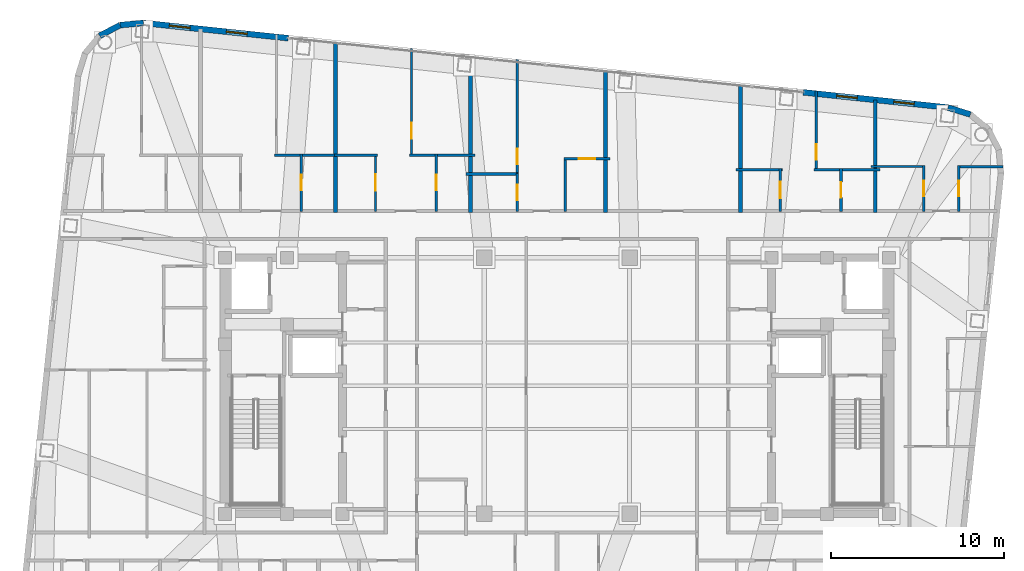
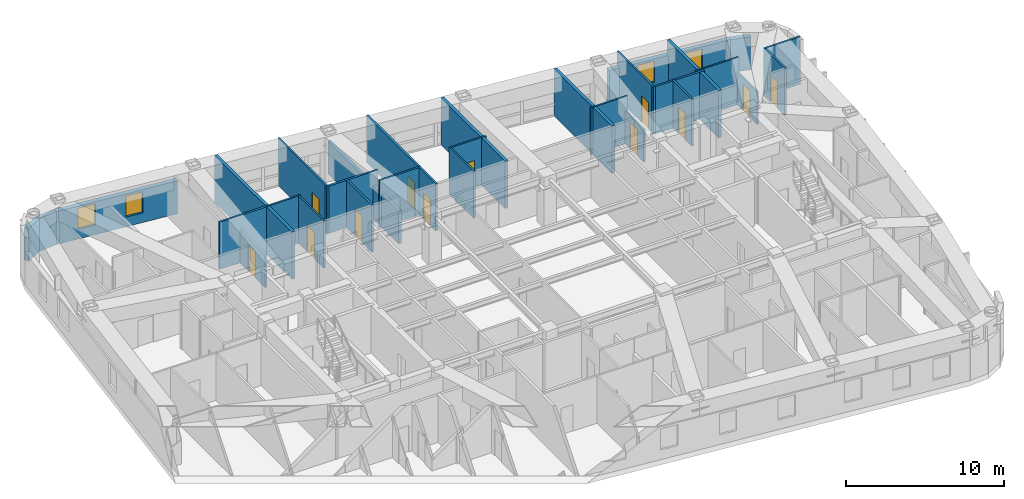
# One storey, part 13 of 16: 31 walls, 12 doors, 4 windows, 16 openings.
"""IFC4 building model written with IfcOpenShell, lengths in metres."""

from ifc_helpers import new_model, si_unit, direction, frame, frame_2d, origin, place, context, subcontext, project, spatial, rectangle, extrude, material, layer, layer_set, type_object, element, fill, save


model = new_model("IFC4")

# Units and contexts
model_context = context("Model", 3, precision=1e-05, world=origin(), true_north=direction((0.0, 1.0)))
body_context = subcontext(model_context, "Body", "Model", "MODEL_VIEW")
ifc_project = project(units=[si_unit("LENGTHUNIT", "METRE"), si_unit("AREAUNIT", "SQUARE_METRE"), si_unit("VOLUMEUNIT", "CUBIC_METRE"), si_unit("PLANEANGLEUNIT", "RADIAN"), si_unit("MASSUNIT", "GRAM", prefix="KILO")], contexts=[model_context])

# Site, building, storey
site_placement = place(None, origin())
site = spatial("IfcSite", under=ifc_project, at=site_placement, CompositionType="ELEMENT")
building_placement = place(site_placement, origin())
building = spatial("IfcBuilding", under=site, at=building_placement, Name="Voryun Gate Residences", CompositionType="ELEMENT")
storey_placement = place(building_placement, frame((0.0, 0.0, 260.0)))
storey = spatial("IfcBuildingStorey", under=building, at=storey_placement, Name="L64", CompositionType="ELEMENT", Elevation=260.0)

# Walls
ifc_material_1 = material(Name="Charcoal terracotta masonry", Category="masonry")
ifc_layer_1 = layer(ifc_material_1, 0.340087890625, Name="W_EXT_TERRACOTTA_340")
ifc_layer_set_1 = layer_set([ifc_layer_1], Name="Charcoal terracotta masonry")
wall_type_1 = type_object("IfcWallType", Name="W_EXT_TERRACOTTA_340", PredefinedType="ELEMENTEDWALL", material=ifc_layer_set_1)
wall_1_placement = place(storey_placement, frame((-26.439453125, 20.2255859375, 0.0), z_axis=(0.0, 0.0, 1.0), x_axis=(0.884922182678, 0.465738908193, 0.0)))
element("IfcWall", 1, at=wall_1_placement, inside=storey, type_object=wall_type_1, Name="Exterior wall WEXT-L64-09", PredefinedType="ELEMENTEDWALL", context=body_context, shape_type="SweptSolid", body=[
    extrude(rectangle(XDim=1.337158203125, YDim=0.340087890625, at=frame_2d((0.66845703125, 0.0))), origin(), (0.0, 0.0, 1.0), 2.5400390625),
])
wall_2_placement = place(storey_placement, frame((-25.256103515625, 20.848388671875, 0.0), z_axis=(0.0, 0.0, 1.0), x_axis=(0.995813013343, 0.091413579172, 0.0)))
element("IfcWall", 2, at=wall_2_placement, inside=storey, type_object=wall_type_1, Name="Exterior wall WEXT-L64-10", PredefinedType="ELEMENTEDWALL", context=body_context, shape_type="SweptSolid", body=[
    extrude(rectangle(XDim=1.35400390625, YDim=0.340087890625, at=frame_2d((0.677001953125, 0.0))), origin(), (0.0, 0.0, 1.0), 2.5400390625),
])

# Wall, openings, windows
wall_3_placement = place(storey_placement, frame((-23.90771484375, 20.97216796875, 0.0), z_axis=(0.0, 0.0, 1.0), x_axis=(0.994522285292, -0.104524753323, 0.0)))
wall_3 = element("IfcWall", 3, at=wall_3_placement, inside=storey, type_object=wall_type_1, Name="Exterior wall WEXT-L64-11A", PredefinedType="ELEMENTEDWALL", context=body_context, shape_type="SweptSolid", body=[
    extrude(rectangle(XDim=8.41796875, YDim=0.340087890625, at=frame_2d((4.208984375, 0.0))), origin(), (0.0, 0.0, 1.0), 2.5400390625),
])
opening_1_placement = place(wall_3_placement, frame((1.510498046875, 0.0, 0.75)))
opening_1 = element("IfcOpeningElement", 4, at=opening_1_placement, cuts=wall_3, Name="Opening WN6", PredefinedType="OPENING", context=body_context, shape_type="SweptSolid", body=[
    extrude(rectangle(XDim=1.199951171875, YDim=1.6298828125, at=frame_2d((0.60009765625, 0.81494140625))), frame((0.0, 0.179931640625, 0.0), z_axis=(0.0, -1.0, 0.0), x_axis=(1.0, 0.0, 0.0)), (0.0, 0.0, 1.0), 0.360107421875),
])
opening_2_placement = place(wall_3_placement, frame((4.826904296875, 0.0, 0.75)))
opening_2 = element("IfcOpeningElement", 5, at=opening_2_placement, cuts=wall_3, Name="Opening WN6", PredefinedType="OPENING", context=body_context, shape_type="SweptSolid", body=[
    extrude(rectangle(XDim=1.199951171875, YDim=1.6298828125, at=frame_2d((0.60009765625, 0.81494140625))), frame((0.0, 0.179931640625, 0.0), z_axis=(0.0, -1.0, 0.0), x_axis=(1.0, 0.0, 0.0)), (0.0, 0.0, 1.0), 0.360107421875),
])
ifc_material_2 = material(Name="Laminated low-E glass", Category="glass")
window_type = type_object("IfcWindowType", Name="WN_POD_SLOT_1200", PartitioningType="SINGLE_PANEL", PredefinedType="WINDOW", material=ifc_material_2)
window_1_placement = place(opening_1_placement, origin())
window_1 = element("IfcWindow", 6, at=window_1_placement, inside=storey, type_object=window_type, Name="Window WN-L64-DWFIX-02", OverallHeight=1.6298828125, OverallWidth=1.199951171875, PartitioningType="SINGLE_PANEL", PredefinedType="WINDOW", context=body_context, shape_type="SweptSolid", body=[
    extrude(rectangle(XDim=1.199951171875, YDim=1.6298828125, at=frame_2d((0.60009765625, 0.81494140625))), frame((0.0, 0.030029296875, 0.0), z_axis=(0.0, -1.0, 0.0), x_axis=(1.0, 0.0, 0.0)), (0.0, 0.0, 1.0), 0.06005859375),
])
fill(opening_1, window_1)
window_2_placement = place(opening_2_placement, origin())
window_2 = element("IfcWindow", 7, at=window_2_placement, inside=storey, type_object=window_type, Name="Window WN-L64-DWFIX-03", OverallHeight=1.6298828125, OverallWidth=1.199951171875, PartitioningType="SINGLE_PANEL", PredefinedType="WINDOW", context=body_context, shape_type="SweptSolid", body=[
    extrude(rectangle(XDim=1.199951171875, YDim=1.6298828125, at=frame_2d((0.60009765625, 0.81494140625))), frame((0.0, 0.030029296875, 0.0), z_axis=(0.0, -1.0, 0.0), x_axis=(1.0, 0.0, 0.0)), (0.0, 0.0, 1.0), 0.06005859375),
])
fill(opening_2, window_2)

wall_4_placement = place(storey_placement, frame((14.230712890625, 16.963623046875, 0.0), z_axis=(0.0, 0.0, 1.0), x_axis=(0.994522285292, -0.104524753323, 0.0)))
wall_4 = element("IfcWall", 8, at=wall_4_placement, inside=storey, type_object=wall_type_1, Name="Exterior wall WEXT-L64-11B", PredefinedType="ELEMENTEDWALL", context=body_context, shape_type="SweptSolid", body=[
    extrude(rectangle(XDim=8.41796875, YDim=0.340087890625, at=frame_2d((4.208984375, 0.0))), origin(), (0.0, 0.0, 1.0), 2.5400390625),
])
opening_3_placement = place(wall_4_placement, frame((1.943603515625, 0.0, 0.75)))
opening_3 = element("IfcOpeningElement", 9, at=opening_3_placement, cuts=wall_4, Name="Opening WN6", PredefinedType="OPENING", context=body_context, shape_type="SweptSolid", body=[
    extrude(rectangle(XDim=1.199951171875, YDim=1.6298828125, at=frame_2d((0.60009765625, 0.81494140625))), frame((0.0, 0.179931640625, 0.0), z_axis=(0.0, -1.0, 0.0), x_axis=(1.0, 0.0, 0.0)), (0.0, 0.0, 1.0), 0.360107421875),
])
opening_4_placement = place(wall_4_placement, frame((5.260009765625, 0.0, 0.75)))
opening_4 = element("IfcOpeningElement", 10, at=opening_4_placement, cuts=wall_4, Name="Opening WN6", PredefinedType="OPENING", context=body_context, shape_type="SweptSolid", body=[
    extrude(rectangle(XDim=1.199951171875, YDim=1.6298828125, at=frame_2d((0.60009765625, 0.81494140625))), frame((0.0, 0.179931640625, 0.0), z_axis=(0.0, -1.0, 0.0), x_axis=(1.0, 0.0, 0.0)), (0.0, 0.0, 1.0), 0.360107421875),
])
window_3_placement = place(opening_3_placement, origin())
window_3 = element("IfcWindow", 11, at=window_3_placement, inside=storey, type_object=window_type, Name="Window WN-L64-DWFIX-04", OverallHeight=1.6298828125, OverallWidth=1.199951171875, PartitioningType="SINGLE_PANEL", PredefinedType="WINDOW", context=body_context, shape_type="SweptSolid", body=[
    extrude(rectangle(XDim=1.199951171875, YDim=1.6298828125, at=frame_2d((0.60009765625, 0.81494140625))), frame((0.0, 0.030029296875, 0.0), z_axis=(0.0, -1.0, 0.0), x_axis=(1.0, 0.0, 0.0)), (0.0, 0.0, 1.0), 0.06005859375),
])
fill(opening_3, window_3)
window_4_placement = place(opening_4_placement, origin())
window_4 = element("IfcWindow", 12, at=window_4_placement, inside=storey, type_object=window_type, Name="Window WN-L64-DWFIX-05", OverallHeight=1.6298828125, OverallWidth=1.199951171875, PartitioningType="SINGLE_PANEL", PredefinedType="WINDOW", context=body_context, shape_type="SweptSolid", body=[
    extrude(rectangle(XDim=1.199951171875, YDim=1.6298828125, at=frame_2d((0.60009765625, 0.81494140625))), frame((0.0, 0.030029296875, 0.0), z_axis=(0.0, -1.0, 0.0), x_axis=(1.0, 0.0, 0.0)), (0.0, 0.0, 1.0), 0.06005859375),
])
fill(opening_4, window_4)

# Walls
wall_5_placement = place(storey_placement, frame((22.6025390625, 16.083740234375, 0.0), z_axis=(0.0, 0.0, 1.0), x_axis=(0.955007802701, -0.296580674994, 0.0)))
element("IfcWall", 13, at=wall_5_placement, inside=storey, type_object=wall_type_1, Name="Exterior wall WEXT-L64-12", PredefinedType="ELEMENTEDWALL", context=body_context, shape_type="SweptSolid", body=[
    extrude(rectangle(XDim=1.354248046875, YDim=0.340087890625, at=frame_2d((0.67724609375, 0.0))), origin(), (0.0, 0.0, 1.0), 2.5400390625),
])
ifc_material_3 = material(Name="Concrete C40/50", Category="concrete")
ifc_layer_2 = layer(ifc_material_3, 0.219970703125, Name="W_PARTY_ACOUSTIC_220")
ifc_layer_set_2 = layer_set([ifc_layer_2], Name="Concrete C40/50")
wall_type_2 = type_object("IfcWallType", Name="W_PARTY_ACOUSTIC_220", PredefinedType="PARTITIONING", material=ifc_layer_set_2)
wall_6_placement = place(storey_placement, frame((-12.800048828125, 10.02001953125, 0.0), z_axis=(0.0, 0.0, 1.0), x_axis=(0.0, 1.0, 0.0)))
element("IfcWall", 14, at=wall_6_placement, inside=storey, type_object=wall_type_2, Name="Partition wall WP-L64-NPTY-2", PredefinedType="PARTITIONING", context=body_context, shape_type="SweptSolid", body=[
    extrude(rectangle(XDim=9.78466796875, YDim=0.219970703125, at=frame_2d((4.892333984375, 0.0))), origin(), (0.0, 0.0, 1.0), 3.64990234375),
])
wall_7_placement = place(storey_placement, frame((-5.0, 10.02001953125, 0.0), z_axis=(0.0, 0.0, 1.0), x_axis=(0.0, 1.0, 0.0)))
element("IfcWall", 15, at=wall_7_placement, inside=storey, type_object=wall_type_2, Name="Partition wall WP-L64-NPTY-3", PredefinedType="PARTITIONING", context=body_context, shape_type="SweptSolid", body=[
    extrude(rectangle(XDim=8.96484375, YDim=0.219970703125, at=frame_2d((4.482421875, 0.0))), origin(), (0.0, 0.0, 1.0), 2.5400390625),
])
wall_8_placement = place(storey_placement, frame((2.800048828125, 10.02001953125, 0.0), z_axis=(0.0, 0.0, 1.0), x_axis=(0.0, 1.0, 0.0)))
element("IfcWall", 16, at=wall_8_placement, inside=storey, type_object=wall_type_2, Name="Partition wall WP-L64-NPTY-4", PredefinedType="PARTITIONING", context=body_context, shape_type="SweptSolid", body=[
    extrude(rectangle(XDim=8.14501953125, YDim=0.219970703125, at=frame_2d((4.072509765625, 0.0))), origin(), (0.0, 0.0, 1.0), 3.64990234375),
])
wall_9_placement = place(storey_placement, frame((10.60009765625, 10.02001953125, 0.0), z_axis=(0.0, 0.0, 1.0), x_axis=(0.0, 1.0, 0.0)))
element("IfcWall", 17, at=wall_9_placement, inside=storey, type_object=wall_type_2, Name="Partition wall WP-L64-NPTY-5", PredefinedType="PARTITIONING", context=body_context, shape_type="SweptSolid", body=[
    extrude(rectangle(XDim=7.3251953125, YDim=0.219970703125, at=frame_2d((3.66259765625, 0.0))), origin(), (0.0, 0.0, 1.0), 3.64990234375),
])
wall_10_placement = place(storey_placement, frame((18.39990234375, 10.02001953125, 0.0), z_axis=(0.0, 0.0, 1.0), x_axis=(0.0, 1.0, 0.0)))
element("IfcWall", 18, at=wall_10_placement, inside=storey, type_object=wall_type_2, Name="Partition wall WP-L64-NPTY-6", PredefinedType="PARTITIONING", context=body_context, shape_type="SweptSolid", body=[
    extrude(rectangle(XDim=6.50537109375, YDim=0.219970703125, at=frame_2d((3.252685546875, 0.0))), origin(), (0.0, 0.0, 1.0), 3.64990234375),
])

# Wall, opening, door
ifc_material_4 = material(Name="Gypsum acoustic partition")
ifc_layer_3 = layer(ifc_material_4, 0.125, Name="W_UNIT_PART_125")
ifc_layer_set_3 = layer_set([ifc_layer_3], Name="Gypsum acoustic partition")
wall_type_3 = type_object("IfcWallType", Name="W_UNIT_PART_125", PredefinedType="PARTITIONING", material=ifc_layer_set_3)
wall_11_placement = place(storey_placement, frame((-8.409912109375, 13.239990234375, 0.0), z_axis=(0.0, 0.0, 1.0), x_axis=(0.0, 1.0, 0.0)))
wall_11 = element("IfcWall", 19, at=wall_11_placement, inside=storey, type_object=wall_type_3, Name="Partition wall WP-L64-N3-OVR", PredefinedType="PARTITIONING", context=body_context, shape_type="SweptSolid", body=[
    extrude(rectangle(XDim=6.254150390625, YDim=0.125, at=frame_2d((3.126953125, 0.0))), origin(), (0.0, 0.0, 1.0), 3.64990234375),
])
opening_5_placement = place(wall_11_placement, frame((1.051025390625, 0.0, 0.0)))
opening_5 = element("IfcOpeningElement", 20, at=opening_5_placement, cuts=wall_11, Name="Opening D-INT-2", PredefinedType="OPENING", context=body_context, shape_type="SweptSolid", body=[
    extrude(rectangle(XDim=0.89990234375, YDim=2.050048828125, at=frame_2d((0.449951171875, 1.02490234375))), frame((0.0, 0.072509765625, 0.0), z_axis=(0.0, -1.0, 0.0), x_axis=(1.0, 0.0, 0.0)), (0.0, 0.0, 1.0), 0.14501953125),
])
ifc_material_5 = material(Name="Architectural oak veneer")
door_type_1 = type_object("IfcDoorType", Name="DR_INT_BATH_900", OperationType="NOTDEFINED", PredefinedType="DOOR", material=ifc_material_5)
door_1_placement = place(opening_5_placement, origin())
door_1 = element("IfcDoor", 21, at=door_1_placement, inside=storey, type_object=door_type_1, Name="Door DR-L64-N3-DMB", OperationType="SINGLE_SWING_RIGHT", OverallHeight=2.050048828125, OverallWidth=0.89990234375, PredefinedType="DOOR", context=body_context, shape_type="SweptSolid", body=[
    extrude(rectangle(XDim=0.89990234375, YDim=2.050048828125, at=frame_2d((0.449951171875, 1.02490234375))), frame((0.0, 0.02490234375, 0.0), z_axis=(0.0, -1.0, 0.0), x_axis=(1.0, 0.0, 0.0)), (0.0, 0.0, 1.0), 0.050048828125),
])
fill(opening_5, door_1)

wall_12_placement = place(storey_placement, frame((-10.489990234375, 10.080078125, 0.0), z_axis=(0.0, 0.0, 1.0), x_axis=(0.0, 1.0, 0.0)))
wall_12 = element("IfcWall", 22, at=wall_12_placement, inside=storey, type_object=wall_type_3, Name="Partition wall WP-L64-N3-IVK", PredefinedType="PARTITIONING", context=body_context, shape_type="SweptSolid", body=[
    extrude(rectangle(XDim=3.31982421875, YDim=0.125, at=frame_2d((1.659912109375, 0.0))), origin(), (0.0, 0.0, 1.0), 3.64990234375),
])
opening_6_placement = place(wall_12_placement, frame((1.18505859375, 0.0, 0.0)))
opening_6 = element("IfcOpeningElement", 23, at=opening_6_placement, cuts=wall_12, Name="Opening D-INT-1", PredefinedType="OPENING", context=body_context, shape_type="SweptSolid", body=[
    extrude(rectangle(XDim=0.949951171875, YDim=2.050048828125, at=frame_2d((0.47509765625, 1.02490234375))), frame((0.0, 0.072509765625, 0.0), z_axis=(0.0, -1.0, 0.0), x_axis=(1.0, 0.0, 0.0)), (0.0, 0.0, 1.0), 0.14501953125),
])
ifc_material_6 = material(Name="Architectural oak veneer")
door_type_2 = type_object("IfcDoorType", Name="DR_INT_ROOM_950", OperationType="NOTDEFINED", PredefinedType="DOOR", material=ifc_material_6)
door_2_placement = place(opening_6_placement, origin())
door_2 = element("IfcDoor", 24, at=door_2_placement, inside=storey, type_object=door_type_2, Name="Door DR-L64-N3-DK", OperationType="SINGLE_SWING_LEFT", OverallHeight=2.050048828125, OverallWidth=0.949951171875, PredefinedType="DOOR", context=body_context, shape_type="SweptSolid", body=[
    extrude(rectangle(XDim=0.949951171875, YDim=2.050048828125, at=frame_2d((0.47509765625, 1.02490234375))), frame((0.0, 0.02490234375, 0.0), z_axis=(0.0, -1.0, 0.0), x_axis=(1.0, 0.0, 0.0)), (0.0, 0.0, 1.0), 0.050048828125),
])
fill(opening_6, door_2)

# Wall
wall_13_placement = place(storey_placement, frame((-12.875, 13.320068359375, 0.0), z_axis=(0.0, 0.0, 1.0), x_axis=(1.0, 0.0, 0.0)))
element("IfcWall", 25, at=wall_13_placement, inside=storey, type_object=wall_type_3, Name="Partition wall WP-L64-N3-HZK", PredefinedType="PARTITIONING", context=body_context, shape_type="SweptSolid", body=[
    extrude(rectangle(XDim=2.5048828125, YDim=0.125, at=frame_2d((1.25244140625, 0.0))), origin(), (0.0, 0.0, 1.0), 3.64990234375),
])

# Wall, opening, door
wall_14_placement = place(storey_placement, frame((0.4169921875, 13.1201171875, 0.0), z_axis=(0.0, 0.0, 1.0), x_axis=(1.0, 0.0, 0.0)))
wall_14 = element("IfcWall", 26, at=wall_14_placement, inside=storey, type_object=wall_type_3, Name="Partition wall WP-L64-N4-KHY", PredefinedType="PARTITIONING", context=body_context, shape_type="SweptSolid", body=[
    extrude(rectangle(XDim=2.64306640625, YDim=0.125, at=frame_2d((1.321533203125, 0.0))), origin(), (0.0, 0.0, 1.0), 3.64990234375),
])
opening_7_placement = place(wall_14_placement, frame((0.846435546875, 0.0, 0.0)))
opening_7 = element("IfcOpeningElement", 27, at=opening_7_placement, cuts=wall_14, Name="Opening D-INT-1", PredefinedType="OPENING", context=body_context, shape_type="SweptSolid", body=[
    extrude(rectangle(XDim=0.949951171875, YDim=2.050048828125, at=frame_2d((0.47509765625, 1.02490234375))), frame((0.0, 0.072509765625, 0.0), z_axis=(0.0, -1.0, 0.0), x_axis=(1.0, 0.0, 0.0)), (0.0, 0.0, 1.0), 0.14501953125),
])
door_3_placement = place(opening_7_placement, origin())
door_3 = element("IfcDoor", 28, at=door_3_placement, inside=storey, type_object=door_type_2, Name="Door DR-L64-N4-DK", OperationType="SINGLE_SWING_LEFT", OverallHeight=2.050048828125, OverallWidth=0.949951171875, PredefinedType="DOOR", context=body_context, shape_type="SweptSolid", body=[
    extrude(rectangle(XDim=0.949951171875, YDim=2.050048828125, at=frame_2d((0.47509765625, 1.02490234375))), frame((0.0, 0.02490234375, 0.0), z_axis=(0.0, -1.0, 0.0), x_axis=(1.0, 0.0, 0.0)), (0.0, 0.0, 1.0), 0.050048828125),
])
fill(opening_7, door_3)

# Wall
wall_15_placement = place(storey_placement, frame((0.47705078125, 10.080078125, 0.0), z_axis=(0.0, 0.0, 1.0), x_axis=(0.0, 1.0, 0.0)))
element("IfcWall", 29, at=wall_15_placement, inside=storey, type_object=wall_type_3, Name="Partition wall WP-L64-N4-KVX", PredefinedType="PARTITIONING", context=body_context, shape_type="SweptSolid", body=[
    extrude(rectangle(XDim=3.099853515625, YDim=0.125, at=frame_2d((1.5498046875, 0.0))), origin(), (0.0, 0.0, 1.0), 3.64990234375),
])

# Wall, opening, door
wall_16_placement = place(storey_placement, frame((14.989990234375, 12.406005859375, 0.0), z_axis=(0.0, 0.0, 1.0), x_axis=(0.0, 1.0, 0.0)))
wall_16 = element("IfcWall", 30, at=wall_16_placement, inside=storey, type_object=wall_type_3, Name="Partition wall WP-L64-N6-OVR", PredefinedType="PARTITIONING", context=body_context, shape_type="SweptSolid", body=[
    extrude(rectangle(XDim=4.628662109375, YDim=0.125, at=frame_2d((2.314453125, 0.0))), origin(), (0.0, 0.0, 1.0), 3.64990234375),
])
opening_8_placement = place(wall_16_placement, frame((0.660888671875, 0.0, 0.0)))
opening_8 = element("IfcOpeningElement", 31, at=opening_8_placement, cuts=wall_16, Name="Opening D-INT-2", PredefinedType="OPENING", context=body_context, shape_type="SweptSolid", body=[
    extrude(rectangle(XDim=0.89990234375, YDim=2.050048828125, at=frame_2d((0.449951171875, 1.02490234375))), frame((0.0, 0.072509765625, 0.0), z_axis=(0.0, -1.0, 0.0), x_axis=(1.0, 0.0, 0.0)), (0.0, 0.0, 1.0), 0.14501953125),
])
door_4_placement = place(opening_8_placement, origin())
door_4 = element("IfcDoor", 32, at=door_4_placement, inside=storey, type_object=door_type_1, Name="Door DR-L64-N6-DMB", OperationType="SINGLE_SWING_RIGHT", OverallHeight=2.050048828125, OverallWidth=0.89990234375, PredefinedType="DOOR", context=body_context, shape_type="SweptSolid", body=[
    extrude(rectangle(XDim=0.89990234375, YDim=2.050048828125, at=frame_2d((0.449951171875, 1.02490234375))), frame((0.0, 0.02490234375, 0.0), z_axis=(0.0, -1.0, 0.0), x_axis=(1.0, 0.0, 0.0)), (0.0, 0.0, 1.0), 0.050048828125),
])
fill(opening_8, door_4)

wall_17_placement = place(storey_placement, frame((12.909912109375, 10.080078125, 0.0), z_axis=(0.0, 0.0, 1.0), x_axis=(0.0, 1.0, 0.0)))
wall_17 = element("IfcWall", 33, at=wall_17_placement, inside=storey, type_object=wall_type_3, Name="Partition wall WP-L64-N6-IVK", PredefinedType="PARTITIONING", context=body_context, shape_type="SweptSolid", body=[
    extrude(rectangle(XDim=2.48583984375, YDim=0.125, at=frame_2d((1.242919921875, 0.0))), origin(), (0.0, 0.0, 1.0), 2.5400390625),
])
opening_9_placement = place(wall_17_placement, frame((0.76806640625, 0.0, 0.0)))
opening_9 = element("IfcOpeningElement", 34, at=opening_9_placement, cuts=wall_17, Name="Opening D-INT-1", PredefinedType="OPENING", context=body_context, shape_type="SweptSolid", body=[
    extrude(rectangle(XDim=0.949951171875, YDim=2.050048828125, at=frame_2d((0.47509765625, 1.02490234375))), frame((0.0, 0.072509765625, 0.0), z_axis=(0.0, -1.0, 0.0), x_axis=(1.0, 0.0, 0.0)), (0.0, 0.0, 1.0), 0.14501953125),
])
door_5_placement = place(opening_9_placement, origin())
door_5 = element("IfcDoor", 35, at=door_5_placement, inside=storey, type_object=door_type_2, Name="Door DR-L64-N6-DK", OperationType="SINGLE_SWING_LEFT", OverallHeight=2.050048828125, OverallWidth=0.949951171875, PredefinedType="DOOR", context=body_context, shape_type="SweptSolid", body=[
    extrude(rectangle(XDim=0.949951171875, YDim=2.050048828125, at=frame_2d((0.47509765625, 1.02490234375))), frame((0.0, 0.02490234375, 0.0), z_axis=(0.0, -1.0, 0.0), x_axis=(1.0, 0.0, 0.0)), (0.0, 0.0, 1.0), 0.050048828125),
])
fill(opening_9, door_5)

# Wall
wall_18_placement = place(storey_placement, frame((10.340087890625, 12.486083984375, 0.0), z_axis=(0.0, 0.0, 1.0), x_axis=(1.0, 0.0, 0.0)))
element("IfcWall", 36, at=wall_18_placement, inside=storey, type_object=wall_type_3, Name="Partition wall WP-L64-N6-HZK", PredefinedType="PARTITIONING", context=body_context, shape_type="SweptSolid", body=[
    extrude(rectangle(XDim=2.68994140625, YDim=0.125, at=frame_2d((1.344970703125, 0.0))), origin(), (0.0, 0.0, 1.0), 3.64990234375),
])

# Wall, opening, door
wall_19_placement = place(storey_placement, frame((21.201904296875, 10.080078125, 0.0), z_axis=(0.0, 0.0, 1.0), x_axis=(0.0, 1.0, 0.0)))
wall_19 = element("IfcWall", 37, at=wall_19_placement, inside=storey, type_object=wall_type_3, Name="Partition wall WP-L64-N7-CVK", PredefinedType="PARTITIONING", context=body_context, shape_type="SweptSolid", body=[
    extrude(rectangle(XDim=2.64990234375, YDim=0.125, at=frame_2d((1.324951171875, 0.0))), origin(), (0.0, 0.0, 1.0), 2.5400390625),
])
opening_10_placement = place(wall_19_placement, frame((0.875, 0.0, 0.0)))
opening_10 = element("IfcOpeningElement", 38, at=opening_10_placement, cuts=wall_19, Name="Opening D-INT-2", PredefinedType="OPENING", context=body_context, shape_type="SweptSolid", body=[
    extrude(rectangle(XDim=0.89990234375, YDim=2.050048828125, at=frame_2d((0.449951171875, 1.02490234375))), frame((0.0, 0.072509765625, 0.0), z_axis=(0.0, -1.0, 0.0), x_axis=(1.0, 0.0, 0.0)), (0.0, 0.0, 1.0), 0.14501953125),
])
door_6_placement = place(opening_10_placement, origin())
door_6 = element("IfcDoor", 39, at=door_6_placement, inside=storey, type_object=door_type_1, Name="Door DR-L64-N7-DK", OperationType="SINGLE_SWING_LEFT", OverallHeight=2.050048828125, OverallWidth=0.89990234375, PredefinedType="DOOR", context=body_context, shape_type="SweptSolid", body=[
    extrude(rectangle(XDim=0.89990234375, YDim=2.050048828125, at=frame_2d((0.449951171875, 1.02490234375))), frame((0.0, 0.02490234375, 0.0), z_axis=(0.0, -1.0, 0.0), x_axis=(1.0, 0.0, 0.0)), (0.0, 0.0, 1.0), 0.050048828125),
])
fill(opening_10, door_6)

# Walls
wall_20_placement = place(storey_placement, frame((18.139892578125, 12.669921875, 0.0), z_axis=(0.0, 0.0, 1.0), x_axis=(1.0, 0.0, 0.0)))
element("IfcWall", 40, at=wall_20_placement, inside=storey, type_object=wall_type_3, Name="Partition wall WP-L64-N7-CHK", PredefinedType="PARTITIONING", context=body_context, shape_type="SweptSolid", body=[
    extrude(rectangle(XDim=3.1220703125, YDim=0.125, at=frame_2d((1.56103515625, 0.0))), origin(), (0.0, 0.0, 1.0), 3.64990234375),
])
ifc_material_7 = material(Name="Gypsum moisture-resistant partition")
ifc_layer_4 = layer(ifc_material_7, 0.14990234375, Name="W_WET_PLUMB_150")
ifc_layer_set_4 = layer_set([ifc_layer_4], Name="Gypsum moisture-resistant partition")
wall_type_4 = type_object("IfcWallType", Name="W_WET_PLUMB_150", PredefinedType="PLUMBINGWALL", material=ifc_layer_set_4)
wall_21_placement = place(storey_placement, frame((-16.330078125, 13.320068359375, 0.0), z_axis=(0.0, 0.0, 1.0), x_axis=(1.0, 0.0, 0.0)))
element("IfcWall", 41, at=wall_21_placement, inside=storey, type_object=wall_type_4, Name="Partition wall WP-L64-N2-HZB", PredefinedType="PLUMBINGWALL", context=body_context, shape_type="SweptSolid", body=[
    extrude(rectangle(XDim=3.60498046875, YDim=0.14990234375, at=frame_2d((1.802490234375, 0.0))), origin(), (0.0, 0.0, 1.0), 3.64990234375),
])

# Wall, opening, door
wall_22_placement = place(storey_placement, frame((-14.780029296875, 10.080078125, 0.0), z_axis=(0.0, 0.0, 1.0), x_axis=(0.0, 1.0, 0.0)))
wall_22 = element("IfcWall", 42, at=wall_22_placement, inside=storey, type_object=wall_type_4, Name="Partition wall WP-L64-N2-IVB", PredefinedType="PLUMBINGWALL", context=body_context, shape_type="SweptSolid", body=[
    extrude(rectangle(XDim=3.31982421875, YDim=0.14990234375, at=frame_2d((1.659912109375, 0.0))), origin(), (0.0, 0.0, 1.0), 2.5400390625),
])
opening_11_placement = place(wall_22_placement, frame((1.2099609375, 0.0, 0.0)))
opening_11 = element("IfcOpeningElement", 43, at=opening_11_placement, cuts=wall_22, Name="Opening D-INT-2", PredefinedType="OPENING", context=body_context, shape_type="SweptSolid", body=[
    extrude(rectangle(XDim=0.89990234375, YDim=2.050048828125, at=frame_2d((0.449951171875, 1.02490234375))), frame((0.0, 0.0849609375, 0.0), z_axis=(0.0, -1.0, 0.0), x_axis=(1.0, 0.0, 0.0)), (0.0, 0.0, 1.0), 0.169921875),
])
door_7_placement = place(opening_11_placement, origin())
door_7 = element("IfcDoor", 44, at=door_7_placement, inside=storey, type_object=door_type_1, Name="Door DR-L64-N2-DB", OperationType="SINGLE_SWING_RIGHT", OverallHeight=2.050048828125, OverallWidth=0.89990234375, PredefinedType="DOOR", context=body_context, shape_type="SweptSolid", body=[
    extrude(rectangle(XDim=0.89990234375, YDim=2.050048828125, at=frame_2d((0.449951171875, 1.02490234375))), frame((0.0, 0.02490234375, 0.0), z_axis=(0.0, -1.0, 0.0), x_axis=(1.0, 0.0, 0.0)), (0.0, 0.0, 1.0), 0.050048828125),
])
fill(opening_11, door_7)

# Wall
wall_23_placement = place(storey_placement, frame((-8.530029296875, 13.320068359375, 0.0), z_axis=(0.0, 0.0, 1.0), x_axis=(1.0, 0.0, 0.0)))
element("IfcWall", 45, at=wall_23_placement, inside=storey, type_object=wall_type_4, Name="Partition wall WP-L64-N3-HZB", PredefinedType="PLUMBINGWALL", context=body_context, shape_type="SweptSolid", body=[
    extrude(rectangle(XDim=3.7900390625, YDim=0.14990234375, at=frame_2d((1.89501953125, 0.0))), origin(), (0.0, 0.0, 1.0), 3.64990234375),
])

# Wall, opening, door
wall_24_placement = place(storey_placement, frame((-6.97998046875, 10.080078125, 0.0), z_axis=(0.0, 0.0, 1.0), x_axis=(0.0, 1.0, 0.0)))
wall_24 = element("IfcWall", 46, at=wall_24_placement, inside=storey, type_object=wall_type_4, Name="Partition wall WP-L64-N3-IVB", PredefinedType="PLUMBINGWALL", context=body_context, shape_type="SweptSolid", body=[
    extrude(rectangle(XDim=3.31982421875, YDim=0.14990234375, at=frame_2d((1.659912109375, 0.0))), origin(), (0.0, 0.0, 1.0), 3.64990234375),
])
opening_12_placement = place(wall_24_placement, frame((1.2099609375, 0.0, 0.0)))
opening_12 = element("IfcOpeningElement", 47, at=opening_12_placement, cuts=wall_24, Name="Opening D-INT-2", PredefinedType="OPENING", context=body_context, shape_type="SweptSolid", body=[
    extrude(rectangle(XDim=0.89990234375, YDim=2.050048828125, at=frame_2d((0.449951171875, 1.02490234375))), frame((0.0, 0.0849609375, 0.0), z_axis=(0.0, -1.0, 0.0), x_axis=(1.0, 0.0, 0.0)), (0.0, 0.0, 1.0), 0.169921875),
])
door_8_placement = place(opening_12_placement, origin())
door_8 = element("IfcDoor", 48, at=door_8_placement, inside=storey, type_object=door_type_1, Name="Door DR-L64-N3-DB", OperationType="SINGLE_SWING_RIGHT", OverallHeight=2.050048828125, OverallWidth=0.89990234375, PredefinedType="DOOR", context=body_context, shape_type="SweptSolid", body=[
    extrude(rectangle(XDim=0.89990234375, YDim=2.050048828125, at=frame_2d((0.449951171875, 1.02490234375))), frame((0.0, 0.02490234375, 0.0), z_axis=(0.0, -1.0, 0.0), x_axis=(1.0, 0.0, 0.0)), (0.0, 0.0, 1.0), 0.050048828125),
])
fill(opening_12, door_8)

# Wall
wall_25_placement = place(storey_placement, frame((-5.260009765625, 12.239990234375, 0.0), z_axis=(0.0, 0.0, 1.0), x_axis=(1.0, 0.0, 0.0)))
element("IfcWall", 49, at=wall_25_placement, inside=storey, type_object=wall_type_4, Name="Partition wall WP-L64-N4-LHY", PredefinedType="PLUMBINGWALL", context=body_context, shape_type="SweptSolid", body=[
    extrude(rectangle(XDim=3.050048828125, YDim=0.14990234375, at=frame_2d((1.52490234375, 0.0))), origin(), (0.0, 0.0, 1.0), 3.64990234375),
])

# Wall, opening, door
wall_26_placement = place(storey_placement, frame((-2.2900390625, 10.080078125, 0.0), z_axis=(0.0, 0.0, 1.0), x_axis=(0.0, 1.0, 0.0)))
wall_26 = element("IfcWall", 50, at=wall_26_placement, inside=storey, type_object=wall_type_4, Name="Partition wall WP-L64-N4-LVX1", PredefinedType="PLUMBINGWALL", context=body_context, shape_type="SweptSolid", body=[
    extrude(rectangle(XDim=2.199951171875, YDim=0.14990234375, at=frame_2d((1.10009765625, 0.0))), origin(), (0.0, 0.0, 1.0), 3.64990234375),
])
opening_13_placement = place(wall_26_placement, frame((0.64990234375, 0.0, 0.0)))
opening_13 = element("IfcOpeningElement", 51, at=opening_13_placement, cuts=wall_26, Name="Opening D-INT-2", PredefinedType="OPENING", context=body_context, shape_type="SweptSolid", body=[
    extrude(rectangle(XDim=0.89990234375, YDim=2.050048828125, at=frame_2d((0.449951171875, 1.02490234375))), frame((0.0, 0.0849609375, 0.0), z_axis=(0.0, -1.0, 0.0), x_axis=(1.0, 0.0, 0.0)), (0.0, 0.0, 1.0), 0.169921875),
])
door_9_placement = place(opening_13_placement, origin())
door_9 = element("IfcDoor", 52, at=door_9_placement, inside=storey, type_object=door_type_1, Name="Door DR-L64-N4-DB", OperationType="SINGLE_SWING_LEFT", OverallHeight=2.050048828125, OverallWidth=0.89990234375, PredefinedType="DOOR", context=body_context, shape_type="SweptSolid", body=[
    extrude(rectangle(XDim=0.89990234375, YDim=2.050048828125, at=frame_2d((0.449951171875, 1.02490234375))), frame((0.0, 0.02490234375, 0.0), z_axis=(0.0, -1.0, 0.0), x_axis=(1.0, 0.0, 0.0)), (0.0, 0.0, 1.0), 0.050048828125),
])
fill(opening_13, door_9)

wall_27_placement = place(storey_placement, frame((-2.2900390625, 12.199951171875, 0.0), z_axis=(0.0, 0.0, 1.0), x_axis=(0.0, 1.0, 0.0)))
wall_27 = element("IfcWall", 53, at=wall_27_placement, inside=storey, type_object=wall_type_4, Name="Partition wall WP-L64-N4-LVX2", PredefinedType="PLUMBINGWALL", context=body_context, shape_type="SweptSolid", body=[
    extrude(rectangle(XDim=6.65087890625, YDim=0.14990234375, at=frame_2d((3.325439453125, 0.0))), origin(), (0.0, 0.0, 1.0), 3.64990234375),
])
opening_14_placement = place(wall_27_placement, frame((0.614013671875, 0.0, 0.0)))
opening_14 = element("IfcOpeningElement", 54, at=opening_14_placement, cuts=wall_27, Name="Opening D-INT-2", PredefinedType="OPENING", context=body_context, shape_type="SweptSolid", body=[
    extrude(rectangle(XDim=0.89990234375, YDim=2.050048828125, at=frame_2d((0.449951171875, 1.02490234375))), frame((0.0, 0.0849609375, 0.0), z_axis=(0.0, -1.0, 0.0), x_axis=(1.0, 0.0, 0.0)), (0.0, 0.0, 1.0), 0.169921875),
])
door_10_placement = place(opening_14_placement, origin())
door_10 = element("IfcDoor", 55, at=door_10_placement, inside=storey, type_object=door_type_1, Name="Door DR-L64-N4-DMB", OperationType="SINGLE_SWING_RIGHT", OverallHeight=2.050048828125, OverallWidth=0.89990234375, PredefinedType="DOOR", context=body_context, shape_type="SweptSolid", body=[
    extrude(rectangle(XDim=0.89990234375, YDim=2.050048828125, at=frame_2d((0.449951171875, 1.02490234375))), frame((0.0, 0.02490234375, 0.0), z_axis=(0.0, -1.0, 0.0), x_axis=(1.0, 0.0, 0.0)), (0.0, 0.0, 1.0), 0.050048828125),
])
fill(opening_14, door_10)

# Wall
wall_28_placement = place(storey_placement, frame((14.8701171875, 12.486083984375, 0.0), z_axis=(0.0, 0.0, 1.0), x_axis=(1.0, 0.0, 0.0)))
element("IfcWall", 56, at=wall_28_placement, inside=storey, type_object=wall_type_4, Name="Partition wall WP-L64-N6-HZB", PredefinedType="PLUMBINGWALL", context=body_context, shape_type="SweptSolid", body=[
    extrude(rectangle(XDim=3.789794921875, YDim=0.14990234375, at=frame_2d((1.89501953125, 0.0))), origin(), (0.0, 0.0, 1.0), 3.64990234375),
])

# Wall, opening, door
wall_29_placement = place(storey_placement, frame((16.419921875, 10.080078125, 0.0), z_axis=(0.0, 0.0, 1.0), x_axis=(0.0, 1.0, 0.0)))
wall_29 = element("IfcWall", 57, at=wall_29_placement, inside=storey, type_object=wall_type_4, Name="Partition wall WP-L64-N6-IVB", PredefinedType="PLUMBINGWALL", context=body_context, shape_type="SweptSolid", body=[
    extrude(rectangle(XDim=2.48583984375, YDim=0.14990234375, at=frame_2d((1.242919921875, 0.0))), origin(), (0.0, 0.0, 1.0), 3.64990234375),
])
opening_15_placement = place(wall_29_placement, frame((0.79296875, 0.0, 0.0)))
opening_15 = element("IfcOpeningElement", 58, at=opening_15_placement, cuts=wall_29, Name="Opening D-INT-2", PredefinedType="OPENING", context=body_context, shape_type="SweptSolid", body=[
    extrude(rectangle(XDim=0.89990234375, YDim=2.050048828125, at=frame_2d((0.449951171875, 1.02490234375))), frame((0.0, 0.0849609375, 0.0), z_axis=(0.0, -1.0, 0.0), x_axis=(1.0, 0.0, 0.0)), (0.0, 0.0, 1.0), 0.169921875),
])
door_11_placement = place(opening_15_placement, origin())
door_11 = element("IfcDoor", 59, at=door_11_placement, inside=storey, type_object=door_type_1, Name="Door DR-L64-N6-DB", OperationType="SINGLE_SWING_RIGHT", OverallHeight=2.050048828125, OverallWidth=0.89990234375, PredefinedType="DOOR", context=body_context, shape_type="SweptSolid", body=[
    extrude(rectangle(XDim=0.89990234375, YDim=2.050048828125, at=frame_2d((0.449951171875, 1.02490234375))), frame((0.0, 0.02490234375, 0.0), z_axis=(0.0, -1.0, 0.0), x_axis=(1.0, 0.0, 0.0)), (0.0, 0.0, 1.0), 0.050048828125),
])
fill(opening_15, door_11)

wall_30_placement = place(storey_placement, frame((23.222900390625, 10.080078125, 0.0), z_axis=(0.0, 0.0, 1.0), x_axis=(0.0, 1.0, 0.0)))
wall_30 = element("IfcWall", 60, at=wall_30_placement, inside=storey, type_object=wall_type_4, Name="Partition wall WP-L64-N7-CVB", PredefinedType="PLUMBINGWALL", context=body_context, shape_type="SweptSolid", body=[
    extrude(rectangle(XDim=2.64990234375, YDim=0.14990234375, at=frame_2d((1.324951171875, 0.0))), origin(), (0.0, 0.0, 1.0), 3.64990234375),
])
opening_16_placement = place(wall_30_placement, frame((0.875, 0.0, 0.0)))
opening_16 = element("IfcOpeningElement", 61, at=opening_16_placement, cuts=wall_30, Name="Opening D-INT-2", PredefinedType="OPENING", context=body_context, shape_type="SweptSolid", body=[
    extrude(rectangle(XDim=0.89990234375, YDim=2.050048828125, at=frame_2d((0.449951171875, 1.02490234375))), frame((0.0, 0.0849609375, 0.0), z_axis=(0.0, -1.0, 0.0), x_axis=(1.0, 0.0, 0.0)), (0.0, 0.0, 1.0), 0.169921875),
])
door_12_placement = place(opening_16_placement, origin())
door_12 = element("IfcDoor", 62, at=door_12_placement, inside=storey, type_object=door_type_1, Name="Door DR-L64-N7-DB", OperationType="SINGLE_SWING_RIGHT", OverallHeight=2.050048828125, OverallWidth=0.89990234375, PredefinedType="DOOR", context=body_context, shape_type="SweptSolid", body=[
    extrude(rectangle(XDim=0.89990234375, YDim=2.050048828125, at=frame_2d((0.449951171875, 1.02490234375))), frame((0.0, 0.02490234375, 0.0), z_axis=(0.0, -1.0, 0.0), x_axis=(1.0, 0.0, 0.0)), (0.0, 0.0, 1.0), 0.050048828125),
])
fill(opening_16, door_12)

# Wall
wall_31_placement = place(storey_placement, frame((23.1630859375, 12.669921875, 0.0), z_axis=(0.0, 0.0, 1.0), x_axis=(1.0, 0.0, 0.0)))
element("IfcWall", 63, at=wall_31_placement, inside=storey, type_object=wall_type_4, Name="Partition wall WP-L64-N7-CHB", PredefinedType="PLUMBINGWALL", context=body_context, shape_type="SweptSolid", body=[
    extrude(rectangle(XDim=2.623291015625, YDim=0.14990234375, at=frame_2d((1.3115234375, 0.0))), origin(), (0.0, 0.0, 1.0), 3.64990234375),
])

save(model, "model.ifc")
